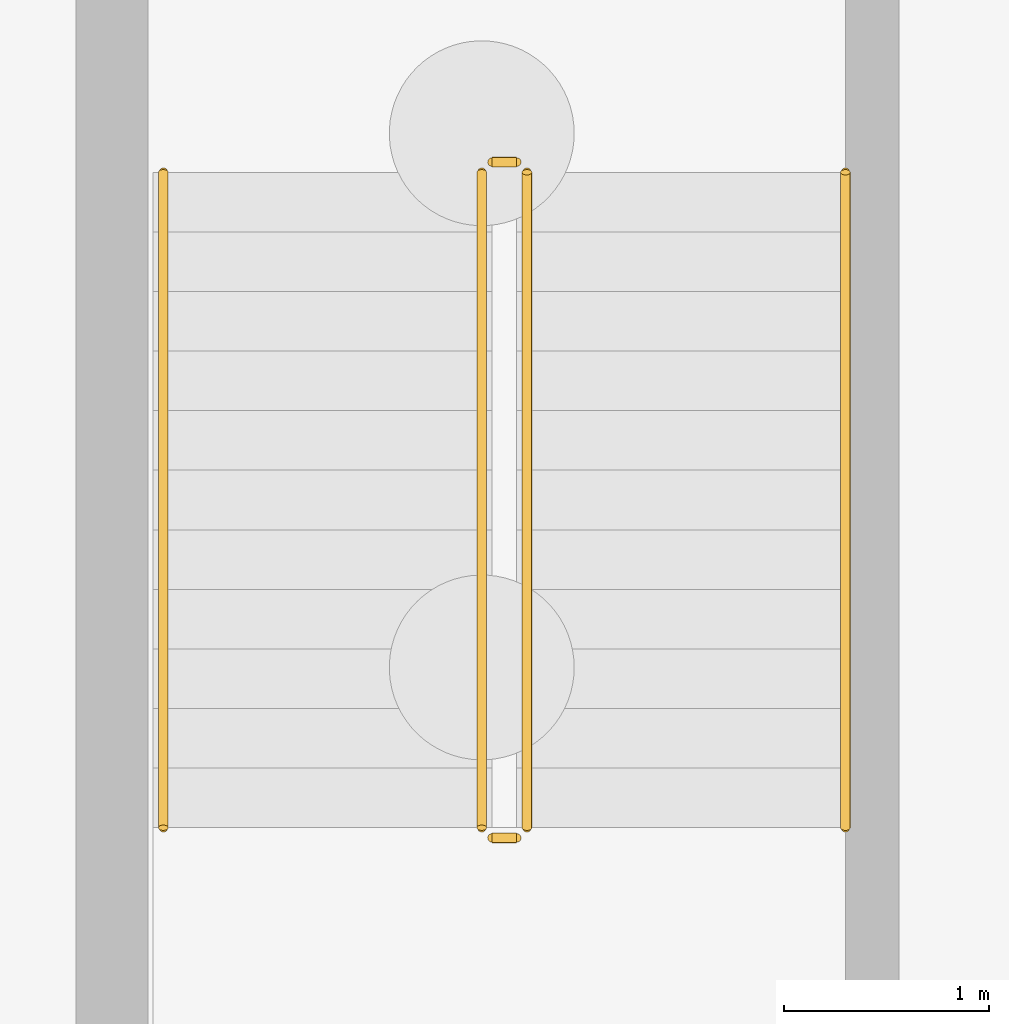
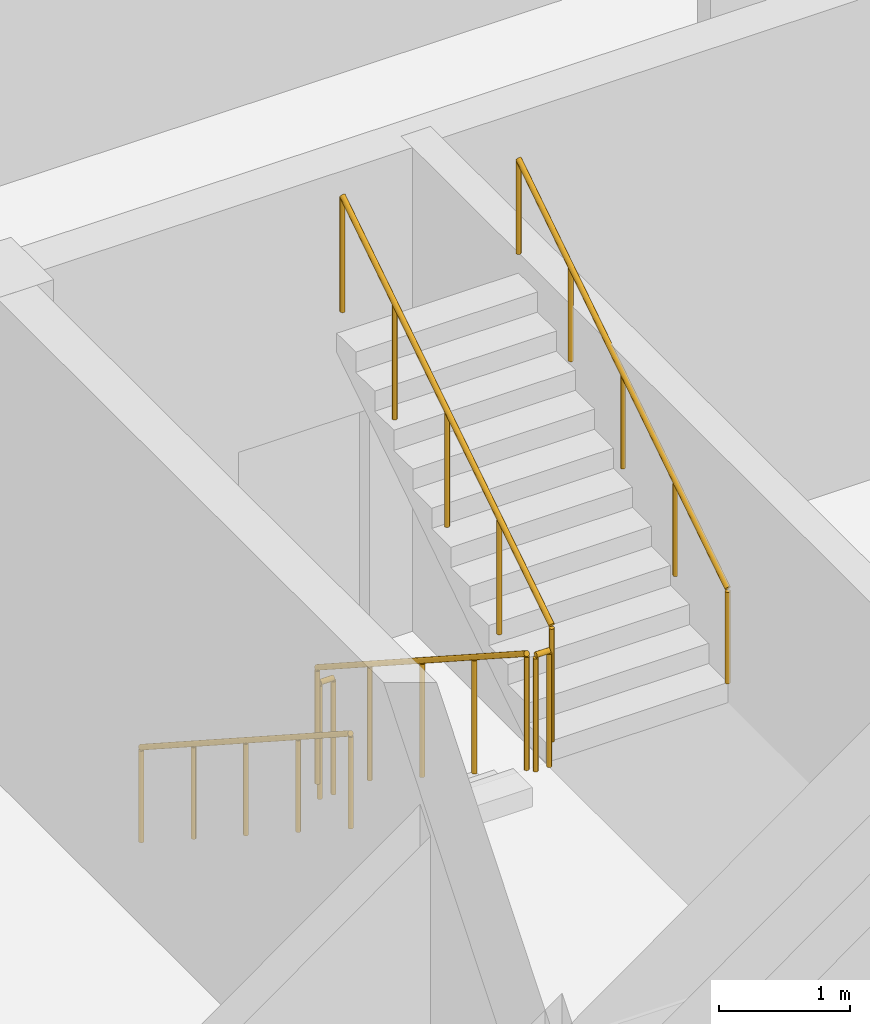
# One storey, part 19 of 22: 6 railings.
"""IFC4 building model written with IfcOpenShell, lengths in metres."""

from ifc_helpers import new_model, si_unit, direction, frame, origin, origin_2d, place, context, subcontext, project, spatial, circle, extrude, material, type_object, element, save


model = new_model("IFC4")

# Units and contexts
model_context = context("Model", 3, precision=1e-05, world=origin(), true_north=direction((0.0, 1.0)))
body_context = subcontext(model_context, "Body", "Model", "MODEL_VIEW")
ifc_project = project(units=[si_unit("LENGTHUNIT", "METRE"), si_unit("AREAUNIT", "SQUARE_METRE"), si_unit("VOLUMEUNIT", "CUBIC_METRE"), si_unit("PLANEANGLEUNIT", "RADIAN"), si_unit("MASSUNIT", "GRAM", prefix="KILO")], contexts=[model_context])

# Site, building, storey
site_placement = place(None, origin())
site = spatial("IfcSite", under=ifc_project, at=site_placement, CompositionType="ELEMENT")
building_placement = place(site_placement, origin())
building = spatial("IfcBuilding", under=site, at=building_placement, Name="Vharandega Faculty of Natural Sciences", CompositionType="ELEMENT")
storey_placement = place(building_placement, frame((0.0, 0.0, -4.5)))
storey = spatial("IfcBuildingStorey", under=building, at=storey_placement, Name="B01", CompositionType="ELEMENT", Elevation=-4.5)

# Railings
ifc_material_1 = material(Name="Brushed stainless steel handrail", Category="steel")
railing_type_1 = type_object("IfcRailingType", Name="Stair Tubular Handrail 900", PredefinedType="HANDRAIL", material=ifc_material_1)
railing_1_placement = place(storey_placement, frame((48.25, 70.610107421875, 0.1875)))
element("IfcRailing", 1, at=railing_1_placement, inside=storey, type_object=railing_type_1, Name="B01 ST5 stair handrail 1", PredefinedType="HANDRAIL", context=body_context, shape_type="SweptSolid", body=[
    extrude(circle(Radius=0.02392578125, at=origin_2d()), frame((0.0, 0.0, 0.8759765625), z_axis=(0.0, -0.839778728322, 0.542928805147), x_axis=(1.0, 0.0, 0.0)), (0.0, 0.0, 1.0), 3.798828125),
    extrude(circle(Radius=0.02099609375, at=origin_2d()), origin(), (0.0, 0.0, 1.0), 0.851806640625),
    extrude(circle(Radius=0.02099609375, at=origin_2d()), frame((0.0, -0.797607421875, 0.515625)), (0.0, 0.0, 1.0), 0.851806640625),
    extrude(circle(Radius=0.02099609375, at=origin_2d()), frame((0.0, -1.59521484375, 1.03125)), (0.0, 0.0, 1.0), 0.851806640625),
    extrude(circle(Radius=0.02099609375, at=origin_2d()), frame((0.0, -2.392578125, 1.546875)), (0.0, 0.0, 1.0), 0.851806640625),
    extrude(circle(Radius=0.02099609375, at=origin_2d()), frame((0.0, -3.190185546875, 2.0625)), (0.0, 0.0, 1.0), 0.851806640625),
])
railing_2_placement = place(storey_placement, frame((51.570068359375, 67.419921875, 2.4375)))
element("IfcRailing", 2, at=railing_2_placement, inside=storey, type_object=railing_type_1, Name="B01 ST5 stair handrail 2", PredefinedType="HANDRAIL", context=body_context, shape_type="SweptSolid", body=[
    extrude(circle(Radius=0.02392578125, at=origin_2d()), frame((0.0, 0.0, 0.8759765625), z_axis=(0.0, 0.839778728322, 0.542928805147), x_axis=(-1.0, 0.0, 0.0)), (0.0, 0.0, 1.0), 3.798828125),
    extrude(circle(Radius=0.02099609375, at=origin_2d()), origin(), (0.0, 0.0, 1.0), 0.851806640625),
    extrude(circle(Radius=0.02099609375, at=origin_2d()), frame((0.0, 0.797607421875, 0.515625)), (0.0, 0.0, 1.0), 0.851806640625),
    extrude(circle(Radius=0.02099609375, at=origin_2d()), frame((0.0, 1.59521484375, 1.03125)), (0.0, 0.0, 1.0), 0.851806640625),
    extrude(circle(Radius=0.02099609375, at=origin_2d()), frame((0.0, 2.392578125, 1.546875)), (0.0, 0.0, 1.0), 0.851806640625),
    extrude(circle(Radius=0.02099609375, at=origin_2d()), frame((0.0, 3.190185546875, 2.0625)), (0.0, 0.0, 1.0), 0.851806640625),
])
ifc_material_2 = material(Name="Painted steel stair guardrail", Category="steel")
railing_type_2 = type_object("IfcRailingType", Name="Stairwell Steel Guardrail 1100", PredefinedType="GUARDRAIL", material=ifc_material_2)
railing_3_placement = place(storey_placement, frame((49.800048828125, 70.610107421875, 0.1875)))
element("IfcRailing", 3, at=railing_3_placement, inside=storey, type_object=railing_type_2, Name="B01 ST5 stair guard 1", PredefinedType="GUARDRAIL", context=body_context, shape_type="SweptSolid", body=[
    extrude(circle(Radius=0.02392578125, at=origin_2d()), frame((0.0, 0.0, 1.076171875), z_axis=(0.0, -0.839778728322, 0.542928805147), x_axis=(1.0, 0.0, 0.0)), (0.0, 0.0, 1.0), 3.798828125),
    extrude(circle(Radius=0.02099609375, at=origin_2d()), origin(), (0.0, 0.0, 1.0), 1.052001953125),
    extrude(circle(Radius=0.02099609375, at=origin_2d()), frame((0.0, -0.797607421875, 0.515625)), (0.0, 0.0, 1.0), 1.052001953125),
    extrude(circle(Radius=0.02099609375, at=origin_2d()), frame((0.0, -1.59521484375, 1.03125)), (0.0, 0.0, 1.0), 1.052001953125),
    extrude(circle(Radius=0.02099609375, at=origin_2d()), frame((0.0, -2.392578125, 1.546875)), (0.0, 0.0, 1.0), 1.052001953125),
    extrude(circle(Radius=0.02099609375, at=origin_2d()), frame((0.0, -3.190185546875, 2.0625)), (0.0, 0.0, 1.0), 1.052001953125),
])
railing_4_placement = place(storey_placement, frame((49.85009765625, 67.3701171875, 2.25)))
element("IfcRailing", 4, at=railing_4_placement, inside=storey, type_object=railing_type_2, Name="B01 ST5 stair guard 2", PredefinedType="GUARDRAIL", context=body_context, shape_type="SweptSolid", body=[
    extrude(circle(Radius=0.02392578125, at=origin_2d()), frame((0.0, 0.0, 1.076171875), z_axis=(1.0, 0.0, 0.0), x_axis=(0.0, 1.0, 0.0)), (0.0, 0.0, 1.0), 0.119873046875),
    extrude(circle(Radius=0.02099609375, at=origin_2d()), origin(), (0.0, 0.0, 1.0), 1.052001953125),
    extrude(circle(Radius=0.02099609375, at=origin_2d()), frame((0.119873046875, 0.0, 0.0)), (0.0, 0.0, 1.0), 1.052001953125),
])
railing_5_placement = place(storey_placement, frame((50.02001953125, 67.419921875, 2.4375)))
element("IfcRailing", 5, at=railing_5_placement, inside=storey, type_object=railing_type_2, Name="B01 ST5 stair guard 3", PredefinedType="GUARDRAIL", context=body_context, shape_type="SweptSolid", body=[
    extrude(circle(Radius=0.02392578125, at=origin_2d()), frame((0.0, 0.0, 1.076171875), z_axis=(0.0, 0.839778728322, 0.542928805147), x_axis=(-1.0, 0.0, 0.0)), (0.0, 0.0, 1.0), 3.798828125),
    extrude(circle(Radius=0.02099609375, at=origin_2d()), origin(), (0.0, 0.0, 1.0), 1.052001953125),
    extrude(circle(Radius=0.02099609375, at=origin_2d()), frame((0.0, 0.797607421875, 0.515625)), (0.0, 0.0, 1.0), 1.052001953125),
    extrude(circle(Radius=0.02099609375, at=origin_2d()), frame((0.0, 1.59521484375, 1.03125)), (0.0, 0.0, 1.0), 1.052001953125),
    extrude(circle(Radius=0.02099609375, at=origin_2d()), frame((0.0, 2.392578125, 1.546875)), (0.0, 0.0, 1.0), 1.052001953125),
    extrude(circle(Radius=0.02099609375, at=origin_2d()), frame((0.0, 3.190185546875, 2.0625)), (0.0, 0.0, 1.0), 1.052001953125),
])
railing_6_placement = place(storey_placement, frame((49.85009765625, 70.659912109375, 0.0)))
element("IfcRailing", 6, at=railing_6_placement, inside=storey, type_object=railing_type_2, Name="B01 ST5 stair guard 4", PredefinedType="GUARDRAIL", context=body_context, shape_type="SweptSolid", body=[
    extrude(circle(Radius=0.02392578125, at=origin_2d()), frame((0.0, 0.0, 1.076171875), z_axis=(1.0, 0.0, 0.0), x_axis=(0.0, 1.0, 0.0)), (0.0, 0.0, 1.0), 0.119873046875),
    extrude(circle(Radius=0.02099609375, at=origin_2d()), origin(), (0.0, 0.0, 1.0), 1.052001953125),
    extrude(circle(Radius=0.02099609375, at=origin_2d()), frame((0.119873046875, 0.0, 0.0)), (0.0, 0.0, 1.0), 1.052001953125),
])

save(model, "model.ifc")
